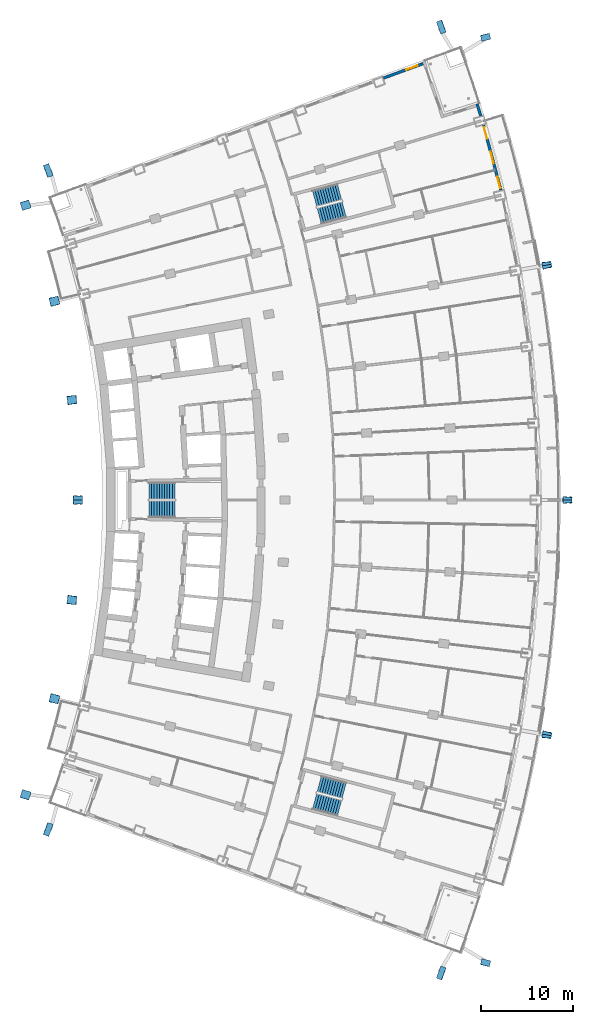
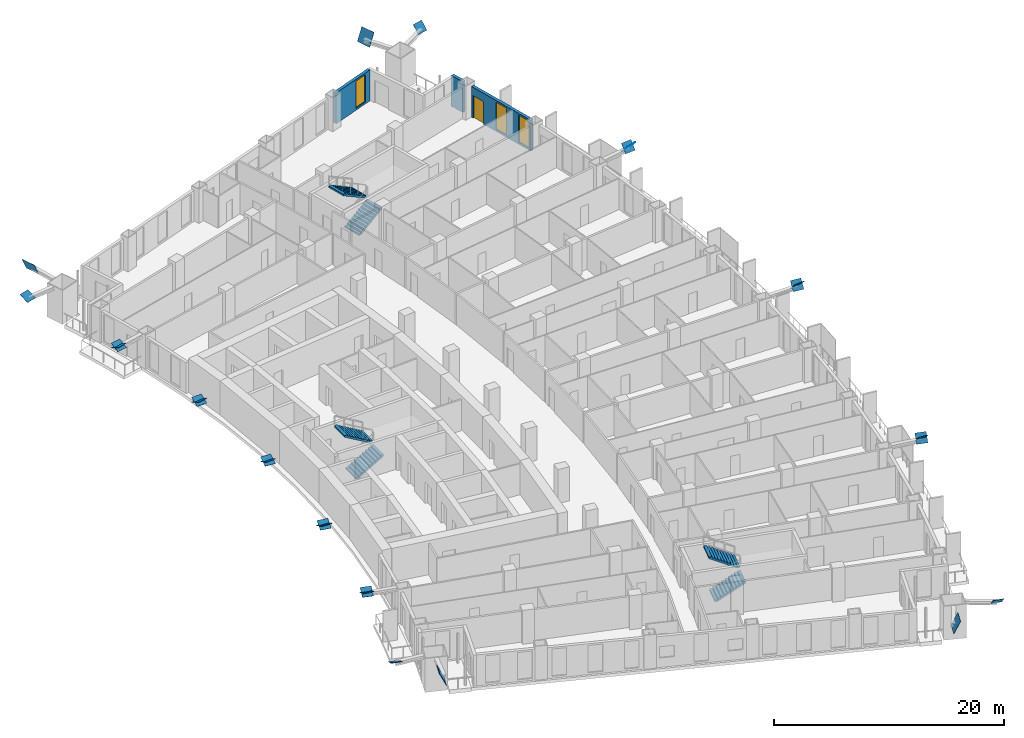
# One storey, part 19 of 22: 24 discrete accessories, 6 stair flights, 3 walls, 3 windows, 1 door, 4 openings, 3 elements without a shape of their own.
"""IFC4 building model written with IfcOpenShell, lengths in metres."""

from ifc_helpers import new_model, si_unit, direction, frame, frame_2d, origin, origin_2d, place, context, subcontext, project, spatial, polyline, rectangle, outline, extrude, material, layer, layer_set, material_profile, profile_set, type_object, element, fill, aggregate, save


model = new_model("IFC4")

# Units and contexts
model_context = context("Model", 3, precision=1e-05, world=origin(), true_north=direction((0.0, 1.0)))
body_context = subcontext(model_context, "Body", "Model", "MODEL_VIEW")
ifc_project = project(units=[si_unit("LENGTHUNIT", "METRE"), si_unit("AREAUNIT", "SQUARE_METRE"), si_unit("VOLUMEUNIT", "CUBIC_METRE"), si_unit("PLANEANGLEUNIT", "RADIAN"), si_unit("MASSUNIT", "GRAM", prefix="KILO")], contexts=[model_context])

# Site, building, storey
site_placement = place(None, origin())
site = spatial("IfcSite", under=ifc_project, at=site_placement, CompositionType="ELEMENT")
building_placement = place(site_placement, origin())
building = spatial("IfcBuilding", under=site, at=building_placement, Name="Alderwake Tower", CompositionType="ELEMENT")
storey_placement = place(building_placement, frame((0.0, 0.0, 50.0)))
storey = spatial("IfcBuildingStorey", under=building, at=storey_placement, Name="L11", CompositionType="ELEMENT", Elevation=50.0)

# Wall, openings, door, windows
ifc_material_1 = material(Name="Precast concrete C50/60 spandrel panel", Category="concrete")
ifc_layer_1 = layer(ifc_material_1, 0.300048828125)
ifc_layer_set_1 = layer_set([ifc_layer_1], Name="External wall EW1 Precast concrete C50/60 spandrel")
wall_type_1 = type_object("IfcWallType", Name="External wall EW1 Precast concrete C50/60 spandrel", PredefinedType="SOLIDWALL", material=ifc_layer_set_1)
wall_1_placement = place(storey_placement, frame((59.23193359375, 94.629150390625, 0.0), z_axis=(0.0, 0.0, 1.0), x_axis=(-0.259482096381, 0.965747918278, 0.0)))
wall_1 = element("IfcWall", 1, at=wall_1_placement, inside=storey, type_object=wall_type_1, Name="External wall 21", PredefinedType="SOLIDWALL", context=body_context, shape_type="SweptSolid", body=[
    extrude(rectangle(XDim=7.305908203125, YDim=0.300048828125, at=frame_2d((3.65283203125, 0.0))), origin(), (0.0, 0.0, 1.0), 3.280029296875),
])
opening_1_placement = place(wall_1_placement, frame((0.222900390625, 0.0, 0.199951171875)))
opening_1 = element("IfcOpeningElement", 2, at=opening_1_placement, cuts=wall_1, Name="Opening W1", PredefinedType="OPENING", context=body_context, shape_type="SweptSolid", body=[
    extrude(rectangle(XDim=1.300048828125, YDim=2.89990234375, at=frame_2d((0.64990234375, 1.449951171875))), frame((0.0, 0.159912109375, 0.0), z_axis=(0.0, -1.0, 0.0), x_axis=(1.0, 0.0, 0.0)), (0.0, 0.0, 1.0), 0.320068359375),
])
opening_2_placement = place(wall_1_placement, frame((3.0029296875, 0.0, 0.199951171875)))
opening_2 = element("IfcOpeningElement", 3, at=opening_2_placement, cuts=wall_1, Name="Opening W1", PredefinedType="OPENING", context=body_context, shape_type="SweptSolid", body=[
    extrude(rectangle(XDim=1.300048828125, YDim=2.89990234375, at=frame_2d((0.64990234375, 1.449951171875))), frame((0.0, 0.159912109375, 0.0), z_axis=(0.0, -1.0, 0.0), x_axis=(1.0, 0.0, 0.0)), (0.0, 0.0, 1.0), 0.320068359375),
])
opening_3_placement = place(wall_1_placement, frame((5.783203125, 0.0, 0.0)))
opening_3 = element("IfcOpeningElement", 4, at=opening_3_placement, cuts=wall_1, Name="Opening D12", PredefinedType="OPENING", context=body_context, shape_type="SweptSolid", body=[
    extrude(rectangle(XDim=1.300048828125, YDim=2.39990234375, at=frame_2d((0.64990234375, 1.199951171875))), frame((0.0, 0.159912109375, 0.0), z_axis=(0.0, -1.0, 0.0), x_axis=(1.0, 0.0, 0.0)), (0.0, 0.0, 1.0), 0.320068359375),
])
ifc_material_2 = material(Name="Bronze tinted glass in aluminium frame", Category="aluminium")
door_type = type_object("IfcDoorType", Name="Balcony door BD sliding", OperationType="SLIDING_TO_LEFT", PredefinedType="DOOR", material=ifc_material_2)
door_placement = place(opening_3_placement, origin())
door = element("IfcDoor", 5, at=door_placement, inside=storey, type_object=door_type, Name="Door D12", OperationType="SLIDING_TO_LEFT", OverallHeight=2.39990234375, OverallWidth=1.300048828125, PredefinedType="DOOR", context=body_context, shape_type="SweptSolid", body=[
    extrude(rectangle(XDim=1.300048828125, YDim=2.39990234375, at=frame_2d((0.64990234375, 1.199951171875))), frame((0.0, 0.02490234375, 0.0), z_axis=(0.0, -1.0, 0.0), x_axis=(1.0, 0.0, 0.0)), (0.0, 0.0, 1.0), 0.050048828125),
])
fill(opening_3, door)
ifc_material_3 = material(Name="Bronze tinted glass in aluminium frame", Category="aluminium")
window_type = type_object("IfcWindowType", Name="Window W1 tall fixed and vent", PartitioningType="DOUBLE_PANEL_VERTICAL", PredefinedType="WINDOW", material=ifc_material_3)
window_1_placement = place(opening_1_placement, origin())
window_1 = element("IfcWindow", 6, at=window_1_placement, inside=storey, type_object=window_type, Name="Window W1 tall fixed and vent", OverallHeight=2.89990234375, OverallWidth=1.300048828125, PartitioningType="DOUBLE_PANEL_VERTICAL", PredefinedType="WINDOW", context=body_context, shape_type="SweptSolid", body=[
    extrude(rectangle(XDim=1.300048828125, YDim=2.89990234375, at=frame_2d((0.64990234375, 1.449951171875))), frame((0.0, 0.030029296875, 0.0), z_axis=(0.0, -1.0, 0.0), x_axis=(1.0, 0.0, 0.0)), (0.0, 0.0, 1.0), 0.06005859375),
])
fill(opening_1, window_1)
window_2_placement = place(opening_2_placement, origin())
window_2 = element("IfcWindow", 7, at=window_2_placement, inside=storey, type_object=window_type, Name="Window W1 tall fixed and vent", OverallHeight=2.89990234375, OverallWidth=1.300048828125, PartitioningType="DOUBLE_PANEL_VERTICAL", PredefinedType="WINDOW", context=body_context, shape_type="SweptSolid", body=[
    extrude(rectangle(XDim=1.300048828125, YDim=2.89990234375, at=frame_2d((0.64990234375, 1.449951171875))), frame((0.0, 0.030029296875, 0.0), z_axis=(0.0, -1.0, 0.0), x_axis=(1.0, 0.0, 0.0)), (0.0, 0.0, 1.0), 0.06005859375),
])
fill(opening_2, window_2)

# Wall
wall_2_placement = place(storey_placement, frame((57.05078125, 102.67529296875, 0.0), z_axis=(0.0, 0.0, 1.0), x_axis=(-0.294532511954, 0.95564145965, 0.0)))
element("IfcWall", 8, at=wall_2_placement, inside=storey, type_object=wall_type_1, Name="External wall 22", PredefinedType="SOLIDWALL", context=body_context, shape_type="SweptSolid", body=[
    extrude(rectangle(XDim=1.382568359375, YDim=0.300048828125, at=frame_2d((0.69140625, 0.0))), origin(), (0.0, 0.0, 1.0), 3.280029296875),
])

# Wall, opening, window
ifc_material_4 = material(Name="Bronze metal cladding on lightweight framing")
ifc_layer_2 = layer(ifc_material_4, 0.300048828125)
ifc_layer_set_2 = layer_set([ifc_layer_2], Name="External wall EW2 bronze metal cladding")
wall_type_2 = type_object("IfcWallType", Name="External wall EW2 bronze metal cladding", PredefinedType="SOLIDWALL", material=ifc_layer_set_2)
wall_3_placement = place(storey_placement, frame((50.78369140625, 108.3671875, 0.0), z_axis=(0.0, 0.0, 1.0), x_axis=(-0.939364626907, -0.342919958177, 0.0)))
wall_3 = element("IfcWall", 9, at=wall_3_placement, inside=storey, type_object=wall_type_2, Name="External wall 25", PredefinedType="SOLIDWALL", context=body_context, shape_type="SweptSolid", body=[
    extrude(rectangle(XDim=4.61279296875, YDim=0.300048828125, at=frame_2d((2.306396484375, 0.0))), origin(), (0.0, 0.0, 1.0), 3.280029296875),
])
opening_4_placement = place(wall_3_placement, frame((0.64111328125, 0.0, 0.199951171875)))
opening_4 = element("IfcOpeningElement", 10, at=opening_4_placement, cuts=wall_3, Name="Opening W1", PredefinedType="OPENING", context=body_context, shape_type="SweptSolid", body=[
    extrude(rectangle(XDim=1.300048828125, YDim=2.89990234375, at=frame_2d((0.64990234375, 1.449951171875))), frame((0.0, 0.159912109375, 0.0), z_axis=(0.0, -1.0, 0.0), x_axis=(1.0, 0.0, 0.0)), (0.0, 0.0, 1.0), 0.320068359375),
])
window_3_placement = place(opening_4_placement, origin())
window_3 = element("IfcWindow", 11, at=window_3_placement, inside=storey, type_object=window_type, Name="Window W1 tall fixed and vent", OverallHeight=2.89990234375, OverallWidth=1.300048828125, PartitioningType="DOUBLE_PANEL_VERTICAL", PredefinedType="WINDOW", context=body_context, shape_type="SweptSolid", body=[
    extrude(rectangle(XDim=1.300048828125, YDim=2.89990234375, at=frame_2d((0.64990234375, 1.449951171875))), frame((0.0, 0.030029296875, 0.0), z_axis=(0.0, -1.0, 0.0), x_axis=(1.0, 0.0, 0.0)), (0.0, 0.0, 1.0), 0.06005859375),
])
fill(opening_4, window_3)

# Stair, stair flights
ifc_material_5 = material(Name="Concrete C40/50", Category="concrete")
stair_type = type_object("IfcStairType", Name="Core exit stair", PredefinedType="HALF_TURN_STAIR", material=ifc_material_5)
stair_1_placement = place(storey_placement, origin())
stair_1 = element("IfcStair", 12, at=stair_1_placement, inside=storey, type_object=stair_type, Name="L11 Exit Stair B", PredefinedType="HALF_TURN_STAIR")
ifc_material_6 = material(Name="Concrete C40/50", Category="concrete")
ifc_layer_3 = layer(ifc_material_6, 0.14990234375)
ifc_layer_set_3 = layer_set([ifc_layer_3], Name="Core stair flight")
stair_flight_type = type_object("IfcStairFlightType", Name="Core stair flight", PredefinedType="STRAIGHT", material=ifc_layer_set_3)
stair_flight_1_placement = place(storey_placement, frame((21.0400390625, 60.02490234375, 0.0), z_axis=(0.0, 0.0, 1.0), x_axis=(1.0, 0.0, 0.0)))
stair_flight_1 = element("IfcStairFlight", 13, at=stair_flight_1_placement, type_object=stair_flight_type, Name="ST-B flight 1", NumberOfRisers=11, NumberOfTreads=10, PredefinedType="STRAIGHT", RiserHeight=0.163636364, TreadLength=0.28, context=body_context, shape_type="SweptSolid", body=[
    extrude(outline(polyline([(0.0, 0.0), (0.0, 0.16357421875), (0.280029296875, 0.16357421875), (0.280029296875, 0.327392578125), (0.56005859375, 0.327392578125), (0.56005859375, 0.490966796875), (0.840087890625, 0.490966796875), (0.840087890625, 0.654541015625), (1.1201171875, 0.654541015625), (1.1201171875, 0.818115234375), (1.39990234375, 0.818115234375), (1.39990234375, 0.98193359375), (1.679931640625, 0.98193359375), (1.679931640625, 1.1455078125), (1.9599609375, 1.1455078125), (1.9599609375, 1.30908203125), (2.239990234375, 1.30908203125), (2.239990234375, 1.47265625), (2.52001953125, 1.47265625), (2.52001953125, 1.636474609375), (2.800048828125, 1.636474609375), (2.800048828125, 1.800048828125), (2.800048828125, 1.462646484375), (0.297119140625, 0.0), (0.0, 0.0)])), frame((0.0, 0.89990234375, 0.0), z_axis=(0.0, -1.0, 0.0), x_axis=(1.0, 0.0, 0.0)), (0.0, 0.0, 1.0), 1.800048828125),
])
stair_flight_2_placement = place(storey_placement, frame((23.840087890625, 61.97509765625, 1.800048828125), z_axis=(0.0, 0.0, 1.0), x_axis=(-1.0, 0.0, 0.0)))
stair_flight_2 = element("IfcStairFlight", 14, at=stair_flight_2_placement, type_object=stair_flight_type, Name="ST-B flight 2", NumberOfRisers=11, NumberOfTreads=10, PredefinedType="STRAIGHT", RiserHeight=0.163636364, TreadLength=0.28, context=body_context, shape_type="SweptSolid", body=[
    extrude(outline(polyline([(0.0, 0.0), (0.0, 0.16357421875), (0.280029296875, 0.16357421875), (0.280029296875, 0.327392578125), (0.56005859375, 0.327392578125), (0.56005859375, 0.490966796875), (0.840087890625, 0.490966796875), (0.840087890625, 0.654541015625), (1.1201171875, 0.654541015625), (1.1201171875, 0.818115234375), (1.39990234375, 0.818115234375), (1.39990234375, 0.98193359375), (1.679931640625, 0.98193359375), (1.679931640625, 1.1455078125), (1.9599609375, 1.1455078125), (1.9599609375, 1.30908203125), (2.239990234375, 1.30908203125), (2.239990234375, 1.47265625), (2.52001953125, 1.47265625), (2.52001953125, 1.636474609375), (2.800048828125, 1.636474609375), (2.800048828125, 1.800048828125), (2.800048828125, 1.462646484375), (0.297119140625, 0.0), (0.0, 0.0)])), frame((0.0, 0.89990234375, 0.0), z_axis=(0.0, -1.0, 0.0), x_axis=(1.0, 0.0, 0.0)), (0.0, 0.0, 1.0), 1.800048828125),
])
aggregate(stair_1, [stair_flight_1, stair_flight_2])

stair_2_placement = place(storey_placement, origin())
stair_2 = element("IfcStair", 15, at=stair_2_placement, inside=storey, type_object=stair_type, Name="L11 Exit Stair A", PredefinedType="HALF_TURN_STAIR")
stair_flight_3_placement = place(storey_placement, frame((39.512939453125, 91.823974609375, 0.0), z_axis=(0.0, 0.0, 1.0), x_axis=(0.966309627437, 0.257382407951, 0.0)))
stair_flight_3 = element("IfcStairFlight", 16, at=stair_flight_3_placement, type_object=stair_flight_type, Name="ST-A flight 1", NumberOfRisers=11, NumberOfTreads=10, PredefinedType="STRAIGHT", RiserHeight=0.163636364, TreadLength=0.28, context=body_context, shape_type="SweptSolid", body=[
    extrude(outline(polyline([(0.0, 0.0), (0.0, 0.16357421875), (0.280029296875, 0.16357421875), (0.280029296875, 0.327392578125), (0.56005859375, 0.327392578125), (0.56005859375, 0.490966796875), (0.840087890625, 0.490966796875), (0.840087890625, 0.654541015625), (1.1201171875, 0.654541015625), (1.1201171875, 0.818115234375), (1.39990234375, 0.818115234375), (1.39990234375, 0.98193359375), (1.679931640625, 0.98193359375), (1.679931640625, 1.1455078125), (1.9599609375, 1.1455078125), (1.9599609375, 1.30908203125), (2.239990234375, 1.30908203125), (2.239990234375, 1.47265625), (2.52001953125, 1.47265625), (2.52001953125, 1.636474609375), (2.800048828125, 1.636474609375), (2.800048828125, 1.800048828125), (2.800048828125, 1.462646484375), (0.297119140625, 0.0), (0.0, 0.0)])), frame((0.0, 0.89990234375, 0.0), z_axis=(0.0, -1.0, 0.0), x_axis=(1.0, 0.0, 0.0)), (0.0, 0.0, 1.0), 1.800048828125),
])
stair_flight_4_placement = place(storey_placement, frame((41.716796875, 94.428955078125, 1.800048828125), z_axis=(0.0, 0.0, 1.0), x_axis=(-0.966309627437, -0.257382407951, 0.0)))
stair_flight_4 = element("IfcStairFlight", 17, at=stair_flight_4_placement, type_object=stair_flight_type, Name="ST-A flight 2", NumberOfRisers=11, NumberOfTreads=10, PredefinedType="STRAIGHT", RiserHeight=0.163636364, TreadLength=0.28, context=body_context, shape_type="SweptSolid", body=[
    extrude(outline(polyline([(0.0, 0.0), (0.0, 0.16357421875), (0.280029296875, 0.16357421875), (0.280029296875, 0.327392578125), (0.56005859375, 0.327392578125), (0.56005859375, 0.490966796875), (0.840087890625, 0.490966796875), (0.840087890625, 0.654541015625), (1.1201171875, 0.654541015625), (1.1201171875, 0.818115234375), (1.39990234375, 0.818115234375), (1.39990234375, 0.98193359375), (1.679931640625, 0.98193359375), (1.679931640625, 1.1455078125), (1.9599609375, 1.1455078125), (1.9599609375, 1.30908203125), (2.239990234375, 1.30908203125), (2.239990234375, 1.47265625), (2.52001953125, 1.47265625), (2.52001953125, 1.636474609375), (2.800048828125, 1.636474609375), (2.800048828125, 1.800048828125), (2.800048828125, 1.462646484375), (0.297119140625, 0.0), (0.0, 0.0)])), frame((0.0, 0.89990234375, 0.0), z_axis=(0.0, -1.0, 0.0), x_axis=(1.0, 0.0, 0.0)), (0.0, 0.0, 1.0), 1.800048828125),
])
aggregate(stair_2, [stair_flight_3, stair_flight_4])

stair_3_placement = place(storey_placement, origin())
stair_3 = element("IfcStair", 18, at=stair_3_placement, inside=storey, type_object=stair_type, Name="L11 Exit Stair C", PredefinedType="HALF_TURN_STAIR")
stair_flight_5_placement = place(storey_placement, frame((39.010986328125, 28.291748046875, 0.0), z_axis=(0.0, 0.0, 1.0), x_axis=(0.966309627437, -0.257382407951, 0.0)))
stair_flight_5 = element("IfcStairFlight", 19, at=stair_flight_5_placement, type_object=stair_flight_type, Name="ST-C flight 1", NumberOfRisers=11, NumberOfTreads=10, PredefinedType="STRAIGHT", RiserHeight=0.163636364, TreadLength=0.28, context=body_context, shape_type="SweptSolid", body=[
    extrude(outline(polyline([(0.0, 0.0), (0.0, 0.16357421875), (0.280029296875, 0.16357421875), (0.280029296875, 0.327392578125), (0.56005859375, 0.327392578125), (0.56005859375, 0.490966796875), (0.840087890625, 0.490966796875), (0.840087890625, 0.654541015625), (1.1201171875, 0.654541015625), (1.1201171875, 0.818115234375), (1.39990234375, 0.818115234375), (1.39990234375, 0.98193359375), (1.679931640625, 0.98193359375), (1.679931640625, 1.1455078125), (1.9599609375, 1.1455078125), (1.9599609375, 1.30908203125), (2.239990234375, 1.30908203125), (2.239990234375, 1.47265625), (2.52001953125, 1.47265625), (2.52001953125, 1.636474609375), (2.800048828125, 1.636474609375), (2.800048828125, 1.800048828125), (2.800048828125, 1.462646484375), (0.297119140625, 0.0), (0.0, 0.0)])), frame((0.0, 0.89990234375, 0.0), z_axis=(0.0, -1.0, 0.0), x_axis=(1.0, 0.0, 0.0)), (0.0, 0.0, 1.0), 1.800048828125),
])
stair_flight_6_placement = place(storey_placement, frame((42.218505859375, 29.455322265625, 1.800048828125), z_axis=(0.0, 0.0, 1.0), x_axis=(-0.966309627437, 0.257382407951, 0.0)))
stair_flight_6 = element("IfcStairFlight", 20, at=stair_flight_6_placement, type_object=stair_flight_type, Name="ST-C flight 2", NumberOfRisers=11, NumberOfTreads=10, PredefinedType="STRAIGHT", RiserHeight=0.163636364, TreadLength=0.28, context=body_context, shape_type="SweptSolid", body=[
    extrude(outline(polyline([(0.0, 0.0), (0.0, 0.16357421875), (0.280029296875, 0.16357421875), (0.280029296875, 0.327392578125), (0.56005859375, 0.327392578125), (0.56005859375, 0.490966796875), (0.840087890625, 0.490966796875), (0.840087890625, 0.654541015625), (1.1201171875, 0.654541015625), (1.1201171875, 0.818115234375), (1.39990234375, 0.818115234375), (1.39990234375, 0.98193359375), (1.679931640625, 0.98193359375), (1.679931640625, 1.1455078125), (1.9599609375, 1.1455078125), (1.9599609375, 1.30908203125), (2.239990234375, 1.30908203125), (2.239990234375, 1.47265625), (2.52001953125, 1.47265625), (2.52001953125, 1.636474609375), (2.800048828125, 1.636474609375), (2.800048828125, 1.800048828125), (2.800048828125, 1.462646484375), (0.297119140625, 0.0), (0.0, 0.0)])), frame((0.0, 0.89990234375, 0.0), z_axis=(0.0, -1.0, 0.0), x_axis=(1.0, 0.0, 0.0)), (0.0, 0.0, 1.0), 1.800048828125),
])
aggregate(stair_3, [stair_flight_5, stair_flight_6])

# Discrete accessories
ifc_material_7 = material(Name="Steel ASTM A572 Grade 50", Category="steel")
ifc_material_profile_1 = material_profile(ifc_material_7, rectangle(XDim=1.0, YDim=1.0, at=origin_2d()), Name="BOX 1000X1000X60 cap")
ifc_profile_set_1 = profile_set([ifc_material_profile_1], Name="Steel ASTM A572 Grade 50")
discrete_accessory_type_1 = type_object("IfcDiscreteAccessoryType", Name="End cap plate BOX 1000X1000X60", PredefinedType="USERDEFINED", material=ifc_profile_set_1)
for number, where, z_axis, x_axis, name in (
    (21, (57.5693359375, 10.783203125, 3.60009765625), (-0.186493297907, -0.737864787373, -0.648672340547), (0.969512556416, -0.245041635138, 0.0), "End cap BRF1.2.1A S"),
    (22, (64.21142578125, 35.502197265625, 3.60009765625), (0.211054535295, 0.730573391407, -0.64939857014), (-0.960714182841, 0.277539652821, 0.0), "End cap BRF1.2.1B1 S"),
):
    element("IfcDiscreteAccessory", number, at=place(storey_placement, frame(where, z_axis=z_axis, x_axis=x_axis)), inside=storey, type_object=discrete_accessory_type_1, Name=name, ObjectType="END CAP", PredefinedType="USERDEFINED", context=body_context, shape_type="SweptSolid", body=[
        extrude(rectangle(XDim=1.0, YDim=1.0, at=origin_2d()), origin(), (0.0, 0.0, 1.0), 0.030029296875),
    ])
discrete_accessory_1_placement = place(storey_placement, frame((64.21142578125, 35.502197265625, 3.60009765625), z_axis=(-0.056619407259, -0.760317754623, -0.647078940105), x_axis=(0.99723873131, -0.074262458715, 0.0)))
element("IfcDiscreteAccessory", 23, at=discrete_accessory_1_placement, inside=storey, type_object=discrete_accessory_type_1, Name="End cap BRF1.2.4A S", ObjectType="END CAP", PredefinedType="USERDEFINED", context=body_context, shape_type="SweptSolid", body=[
    extrude(rectangle(XDim=1.0, YDim=1.0, at=origin_2d()), origin(), (0.0, 0.0, 1.0), 0.0302734375),
])
for number, where, z_axis, x_axis, name in (
    (24, (66.4482421875, 61.0, 3.60009765625), (0.081247127838, 0.755598288892, -0.649977022703), (-0.994268636888, 0.106910606117, 0.0), "End cap BRF1.2.4B1 S"),
    (25, (66.4482421875, 61.0, 3.60009765625), (0.081247127838, -0.755598288892, -0.649977022703), (0.994268636888, 0.106910606117, 0.0), "End cap BRF1.2.7A S"),
):
    element("IfcDiscreteAccessory", number, at=place(storey_placement, frame(where, z_axis=z_axis, x_axis=x_axis)), inside=storey, type_object=discrete_accessory_type_1, Name=name, ObjectType="END CAP", PredefinedType="USERDEFINED", context=body_context, shape_type="SweptSolid", body=[
        extrude(rectangle(XDim=1.0, YDim=1.0, at=origin_2d()), origin(), (0.0, 0.0, 1.0), 0.030029296875),
    ])
discrete_accessory_2_placement = place(storey_placement, frame((64.21142578125, 86.497802734375, 3.60009765625), z_axis=(-0.056619407259, 0.760317754623, -0.647078940105), x_axis=(-0.99723873131, -0.074262458715, 0.0)))
element("IfcDiscreteAccessory", 26, at=discrete_accessory_2_placement, inside=storey, type_object=discrete_accessory_type_1, Name="End cap BRF1.2.7B1 S", ObjectType="END CAP", PredefinedType="USERDEFINED", context=body_context, shape_type="SweptSolid", body=[
    extrude(rectangle(XDim=1.0, YDim=1.0, at=origin_2d()), origin(), (0.0, 0.0, 1.0), 0.0302734375),
])
for number, where, z_axis, x_axis, name in (
    (27, (64.21142578125, 86.497802734375, 3.60009765625), (0.211054535295, -0.730573391407, -0.64939857014), (0.960714182841, 0.277539652821, 0.0), "End cap BRF1.2.10A S"),
    (28, (57.5693359375, 111.216796875, 3.60009765625), (-0.186493297907, 0.737864787373, -0.648672340547), (-0.969512556416, -0.245041635138, 0.0), "End cap BRF1.2.10B1 S"),
    (29, (7.6435546875, 29.007568359375, 3.60009765625), (-0.129926809902, -0.430382557802, -0.893246818079), (0.957327710787, -0.289004591936, 0.0), "End cap BRR1.2.1A S"),
    (30, (10.771728515625, 39.427001953125, 3.60009765625), (0.129926809902, 0.430382557802, -0.893246818079), (-0.957327710787, 0.289004591936, 0.0), "End cap BRR1.2.1B1 S"),
    (31, (10.771728515625, 39.427001953125, 3.60009765625), (-0.08133576549, -0.439213133645, -0.894693420388), (0.983282004984, -0.182089260182, 0.0), "End cap BRR1.2.3A S"),
    (32, (12.665771484375, 50.1396484375, 3.60009765625), (0.081044089847, 0.44574249416, -0.89148498832), (-0.9838699101, 0.1788854382, 0.0), "End cap BRR1.2.3B1 S"),
    (33, (12.665771484375, 50.1396484375, 3.60009765625), (-0.024386214522, -0.447080599566, -0.894161199132), (0.998515707931, -0.05446449316, 0.0), "End cap BRR1.2.5A S"),
    (34, (13.300048828125, 61.0, 3.60009765625), (0.024386214522, 0.447080599566, -0.894161199132), (-0.998515707931, 0.05446449316, 0.0), "End cap BRR1.2.5B1 S"),
    (35, (13.300048828125, 61.0, 3.60009765625), (0.024386214522, -0.447080599566, -0.894161199132), (0.998515707931, 0.05446449316, 0.0), "End cap BRR1.2.7A S"),
    (36, (12.665771484375, 71.8603515625, 3.60009765625), (-0.024386214522, 0.447080599566, -0.894161199132), (-0.998515707931, -0.05446449316, 0.0), "End cap BRR1.2.7B1 S"),
    (37, (12.665771484375, 71.8603515625, 3.60009765625), (0.081044089847, -0.44574249416, -0.89148498832), (0.9838699101, 0.1788854382, 0.0), "End cap BRR1.2.9A S"),
    (38, (10.771728515625, 82.572998046875, 3.60009765625), (-0.08133576549, 0.439213133645, -0.894693420388), (-0.983282004984, -0.182089260182, 0.0), "End cap BRR1.2.9B1 S"),
    (39, (10.771728515625, 82.572998046875, 3.60009765625), (0.129926809902, -0.430382557802, -0.893246818079), (0.957327710787, 0.289004591936, 0.0), "End cap BRR1.2.11A S"),
    (40, (7.6435546875, 92.992431640625, 3.60009765625), (-0.129926809902, 0.430382557802, -0.893246818079), (-0.957327710787, -0.289004591936, 0.0), "End cap BRR1.2.11B1 S"),
):
    element("IfcDiscreteAccessory", number, at=place(storey_placement, frame(where, z_axis=z_axis, x_axis=x_axis)), inside=storey, type_object=discrete_accessory_type_1, Name=name, ObjectType="END CAP", PredefinedType="USERDEFINED", context=body_context, shape_type="SweptSolid", body=[
        extrude(rectangle(XDim=1.0, YDim=1.0, at=origin_2d()), origin(), (0.0, 0.0, 1.0), 0.030029296875),
    ])
ifc_material_8 = material(Name="Steel ASTM A572 Grade 50", Category="steel")
ifc_material_profile_2 = material_profile(ifc_material_8, rectangle(XDim=1.39990234375, YDim=1.39990234375, at=origin_2d()), Name="BOX 1400X1400X80 cap")
ifc_profile_set_2 = profile_set([ifc_material_profile_2], Name="Steel ASTM A572 Grade 50")
discrete_accessory_type_2 = type_object("IfcDiscreteAccessoryType", Name="End cap plate BOX 1400X1400X80", PredefinedType="USERDEFINED", material=ifc_profile_set_2)
for number, where, z_axis, x_axis, name in (
    (41, (10.099365234375, 25.23681640625, 3.60009765625), (-0.844218141181, 0.308464320816, -0.438344034844), (-0.343192952924, -0.939264923791, 0.0), "End cap BRS1.2.0A S"),
    (42, (52.746826171875, 9.669189453125, 3.60009765625), (0.847210096674, -0.309557535323, -0.431751299267), (0.343192952924, 0.939264923791, 0.0), "End cap BRS1.2.0B1 S"),
    (43, (10.099365234375, 96.76318359375, 3.60009765625), (-0.844218141181, -0.308464320816, -0.438344034844), (0.343192952924, -0.939264923791, 0.0), "End cap BRN1.2.0A S"),
    (44, (52.746826171875, 112.330810546875, 3.60009765625), (0.847210096674, 0.309557535323, -0.431751299267), (-0.343192952924, 0.939264923791, 0.0), "End cap BRN1.2.0B1 S"),
):
    element("IfcDiscreteAccessory", number, at=place(storey_placement, frame(where, z_axis=z_axis, x_axis=x_axis)), inside=storey, type_object=discrete_accessory_type_2, Name=name, ObjectType="END CAP", PredefinedType="USERDEFINED", context=body_context, shape_type="SweptSolid", body=[
        extrude(rectangle(XDim=1.39990234375, YDim=1.39990234375, at=origin_2d()), origin(), (0.0, 0.0, 1.0), 0.030029296875),
    ])

save(model, "model.ifc")
